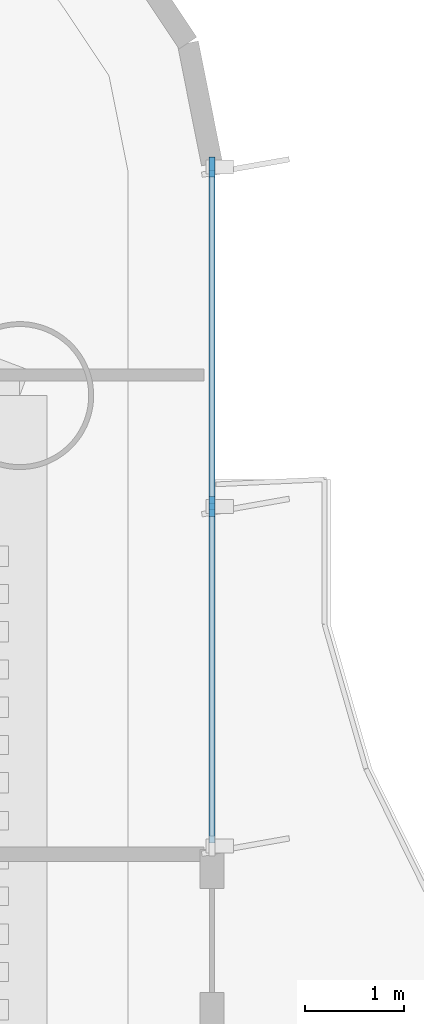
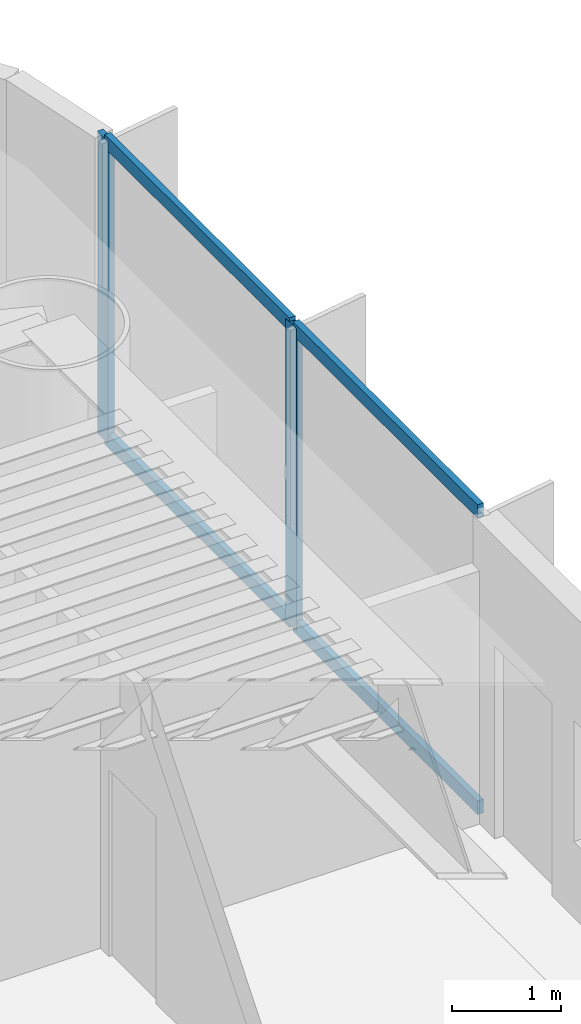
# One storey, part 5 of 17: 6 members, 1 element without a shape of its own.
"""IFC4 building model written with IfcOpenShell, lengths in metres."""

from ifc_helpers import new_model, si_unit, direction, frame, origin, origin_2d, place, context, subcontext, project, spatial, rectangle, extrude, source, transform, mapped, material, layer, layer_set, material_profile, profile_set, type_object, element, aggregate, save


model = new_model("IFC4")

# Units and contexts
model_context = context("Model", 3, precision=1e-05, world=origin(), true_north=direction((0.0, 1.0)))
body_context = subcontext(model_context, "Body", "Model", "MODEL_VIEW")
ifc_project = project(units=[si_unit("LENGTHUNIT", "METRE"), si_unit("AREAUNIT", "SQUARE_METRE"), si_unit("VOLUMEUNIT", "CUBIC_METRE"), si_unit("PLANEANGLEUNIT", "RADIAN"), si_unit("MASSUNIT", "GRAM", prefix="KILO")], contexts=[model_context])

# Site, building, storey
site_placement = place(None, origin())
site = spatial("IfcSite", under=ifc_project, at=site_placement, CompositionType="ELEMENT")
building_placement = place(site_placement, origin())
building = spatial("IfcBuilding", under=site, at=building_placement, Name="Brelvock Crest Care Tower", CompositionType="ELEMENT")
storey_placement = place(building_placement, frame((0.0, 0.0, 76.139892578125)))
storey = spatial("IfcBuildingStorey", under=building, at=storey_placement, Name="L19", CompositionType="ELEMENT", Elevation=76.139892578125)

# Curtain wall, members
ifc_material_1 = material(Name="Dark Glass Double Glazed Low-E", Category="glass")
ifc_layer = layer(ifc_material_1, 0.195068359375, Name="CWS-2")
ifc_layer_set = layer_set([ifc_layer], Name="Dark Glass Double Glazed Low-E")
curtain_wall_type = type_object("IfcCurtainWallType", Name="CWS-2", PredefinedType="NOTDEFINED", material=ifc_layer_set)
curtain_wall_placement = place(storey_placement, origin())
curtain_wall = element("IfcCurtainWall", 1, at=curtain_wall_placement, inside=storey, type_object=curtain_wall_type, Name="L19 Curtain Wall E03A", PredefinedType="NOTDEFINED")
ifc_material_2 = material(Name="Aluminium 6063-T6", Category="aluminium")
ifc_material_profile_1 = material_profile(ifc_material_2, rectangle(XDim=0.06494140625, YDim=0.14990234375, at=origin_2d()), Name="ALU65x150")
ifc_profile_set_1 = profile_set([ifc_material_profile_1], Name="Aluminium 6063-T6")
member_type_1 = type_object("IfcMemberType", Name="CWT-1", PredefinedType="USERDEFINED", material=ifc_profile_set_1)
shared_shape_1 = source(origin(), body_context, "Body", "SweptSolid", [
    extrude(rectangle(XDim=0.06494140625, YDim=0.14990234375, at=origin_2d()), origin(), (0.0, 0.0, 1.0), 3.377685546875),
])
member_1_placement = place(storey_placement, frame((60.0, 32.735107421875, 0.03271484375), z_axis=(0.0, -1.0, 0.0), x_axis=(1.0, 0.0, 0.0)))
member_1 = element("IfcMember", 2, at=member_1_placement, type_object=member_type_1, Name="CW-2 transom 1.1", ObjectType="TRANSOM", PredefinedType="USERDEFINED", context=body_context, shape_type="MappedRepresentation", body=[
    mapped(shared_shape_1, transform((0.0, 0.0, 0.0), x_axis=(1.0, 0.0, 0.0), y_axis=(0.0, 1.0, 0.0), z_axis=(0.0, 0.0, 1.0), scale=1.0)),
])
member_2_placement = place(storey_placement, frame((60.0, 32.735107421875, 3.339599609375), z_axis=(0.0, -1.0, 0.0), x_axis=(1.0, 0.0, 0.0)))
member_2 = element("IfcMember", 3, at=member_2_placement, type_object=member_type_1, Name="CW-2 transom 1.2", ObjectType="TRANSOM", PredefinedType="USERDEFINED", context=body_context, shape_type="MappedRepresentation", body=[
    mapped(shared_shape_1, transform((0.0, 0.0, 0.0), x_axis=(1.0, 0.0, 0.0), y_axis=(0.0, 1.0, 0.0), z_axis=(0.0, 0.0, 1.0), scale=1.0)),
])
shared_shape_2 = source(origin(), body_context, "Body", "SweptSolid", [
    extrude(rectangle(XDim=0.06494140625, YDim=0.14990234375, at=origin_2d()), origin(), (0.0, 0.0, 1.0), 3.37744140625),
])
member_3_placement = place(storey_placement, frame((60.0, 29.29248046875, 0.03271484375), z_axis=(0.0, -1.0, 0.0), x_axis=(1.0, 0.0, 0.0)))
member_3 = element("IfcMember", 4, at=member_3_placement, type_object=member_type_1, Name="CW-2 transom 2.1", ObjectType="TRANSOM", PredefinedType="USERDEFINED", context=body_context, shape_type="MappedRepresentation", body=[
    mapped(shared_shape_2, transform((0.0, 0.0, 0.0), x_axis=(1.0, 0.0, 0.0), y_axis=(0.0, 1.0, 0.0), z_axis=(0.0, 0.0, 1.0), scale=1.0)),
])
member_4_placement = place(storey_placement, frame((60.0, 29.29248046875, 3.339599609375), z_axis=(0.0, -1.0, 0.0), x_axis=(1.0, 0.0, 0.0)))
member_4 = element("IfcMember", 5, at=member_4_placement, type_object=member_type_1, Name="CW-2 transom 2.2", ObjectType="TRANSOM", PredefinedType="USERDEFINED", context=body_context, shape_type="MappedRepresentation", body=[
    mapped(shared_shape_2, transform((0.0, 0.0, 0.0), x_axis=(1.0, 0.0, 0.0), y_axis=(0.0, 1.0, 0.0), z_axis=(0.0, 0.0, 1.0), scale=1.0)),
])
ifc_material_profile_2 = material_profile(ifc_material_2, rectangle(XDim=0.06494140625, YDim=0.199951171875, at=origin_2d()), Name="ALU65x200")
ifc_profile_set_2 = profile_set([ifc_material_profile_2], Name="Aluminium 6063-T6")
member_type_2 = type_object("IfcMemberType", Name="CWM-1", PredefinedType="MULLION", material=ifc_profile_set_2)
shared_shape_3 = source(origin(), body_context, "Body", "SweptSolid", [
    extrude(rectangle(XDim=0.06494140625, YDim=0.199951171875, at=origin_2d()), origin(), (0.0, 0.0, 1.0), 3.3720703125),
])
member_5_placement = place(storey_placement, frame((60.0, 32.767578125, 0.0), z_axis=(0.0, 0.0, 1.0), x_axis=(1.0, 0.0, 0.0)))
member_5 = element("IfcMember", 6, at=member_5_placement, type_object=member_type_2, Name="CW-2 mullion 1", PredefinedType="MULLION", context=body_context, shape_type="MappedRepresentation", body=[
    mapped(shared_shape_3, transform((0.0, 0.0, 0.0), x_axis=(1.0, 0.0, 0.0), y_axis=(0.0, 1.0, 0.0), z_axis=(0.0, 0.0, 1.0), scale=1.0)),
])
member_6_placement = place(storey_placement, frame((60.0, 29.324951171875, 0.0), z_axis=(0.0, 0.0, 1.0), x_axis=(1.0, 0.0, 0.0)))
member_6 = element("IfcMember", 7, at=member_6_placement, type_object=member_type_2, Name="CW-2 mullion 2", PredefinedType="MULLION", context=body_context, shape_type="MappedRepresentation", body=[
    mapped(shared_shape_3, transform((0.0, 0.0, 0.0), x_axis=(1.0, 0.0, 0.0), y_axis=(0.0, 1.0, 0.0), z_axis=(0.0, 0.0, 1.0), scale=1.0)),
])
aggregate(curtain_wall, [member_5, member_6, member_1, member_2, member_3, member_4])

save(model, "model.ifc")
